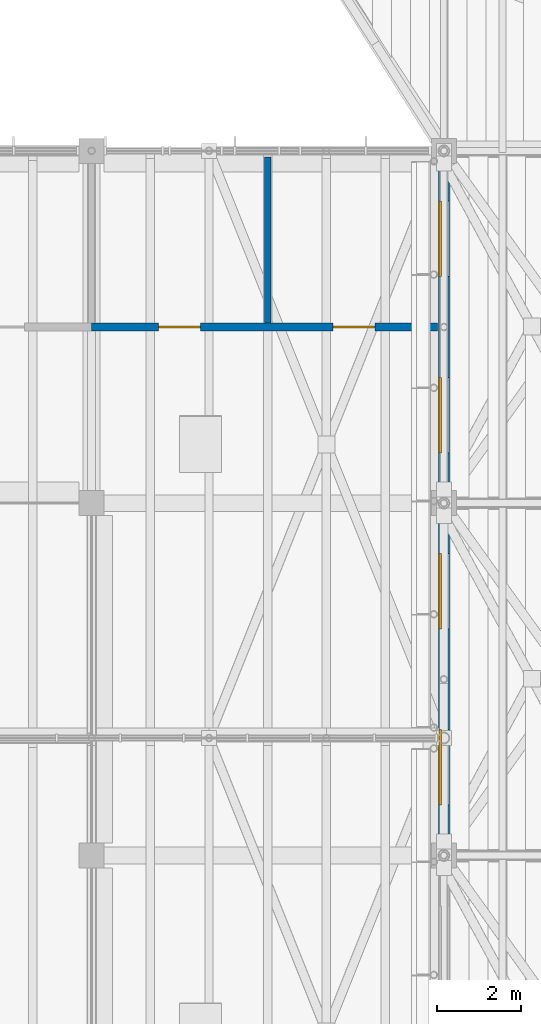
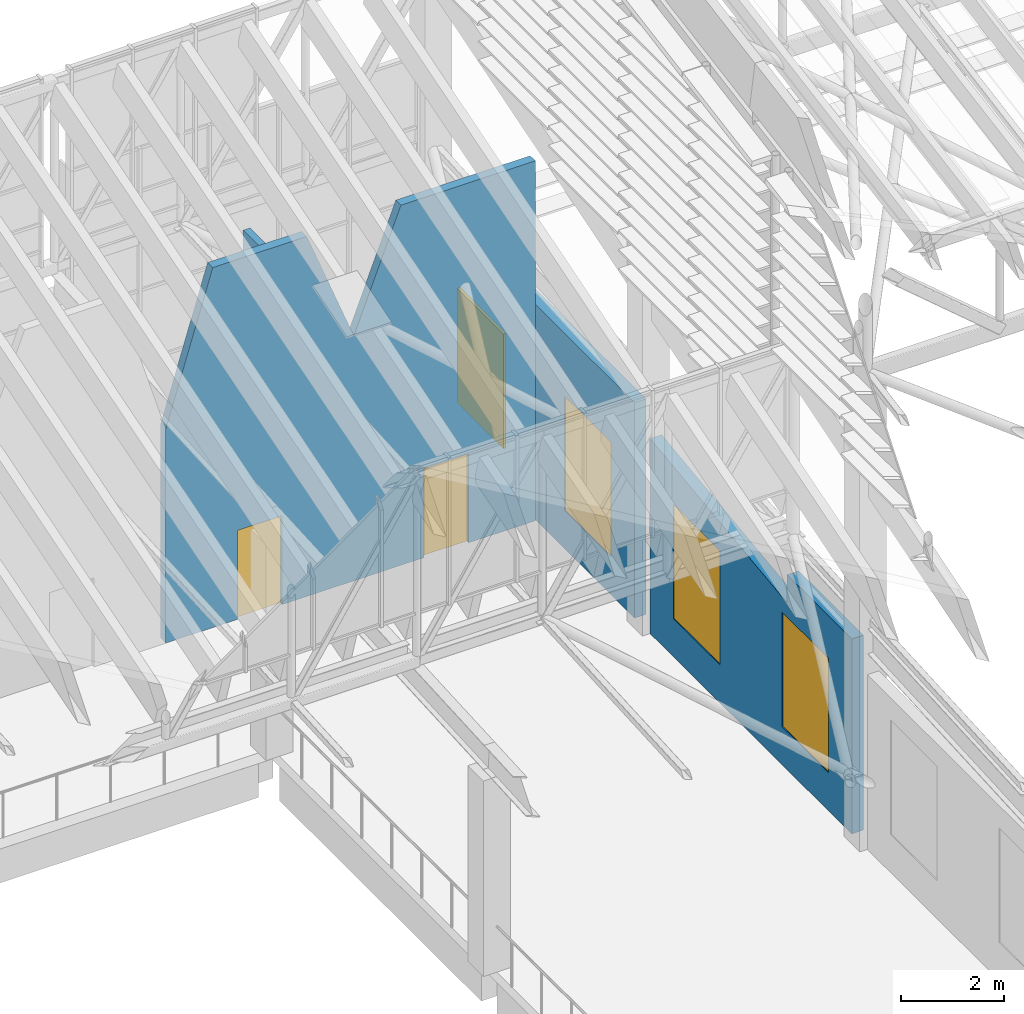
# One storey, part 65 of 91: 4 walls, 4 windows, 2 doors, 6 openings.
"""IFC4 building model written with IfcOpenShell, lengths in metres."""

from ifc_helpers import new_model, si_unit, direction, frame, frame_2d, origin, place, context, subcontext, project, spatial, polyline, rectangle, outline, extrude, material, layer, layer_set, type_object, element, fill, save


model = new_model("IFC4")

# Units and contexts
model_context = context("Model", 3, precision=1e-05, world=origin(), true_north=direction((0.0, 1.0)))
body_context = subcontext(model_context, "Body", "Model", "MODEL_VIEW")
ifc_project = project(units=[si_unit("LENGTHUNIT", "METRE"), si_unit("AREAUNIT", "SQUARE_METRE"), si_unit("VOLUMEUNIT", "CUBIC_METRE"), si_unit("PLANEANGLEUNIT", "RADIAN"), si_unit("MASSUNIT", "GRAM", prefix="KILO")], contexts=[model_context])

# Site, building, storey
site_placement = place(None, origin())
site = spatial("IfcSite", under=ifc_project, at=site_placement, CompositionType="ELEMENT")
building_placement = place(site_placement, origin())
building = spatial("IfcBuilding", under=site, at=building_placement, Name="Almond Square Museum", CompositionType="ELEMENT")
storey_placement = place(building_placement, frame((0.0, 0.0, 30.0)))
storey = spatial("IfcBuildingStorey", under=building, at=storey_placement, Name="L05", CompositionType="ELEMENT", Elevation=30.0)

# Wall, openings, windows
ifc_material_1 = material(Name="Concrete C30/37", Category="concrete")
ifc_layer_1 = layer(ifc_material_1, 0.260009765625)
ifc_layer_set_1 = layer_set([ifc_layer_1], Name="Concrete C30/37")
wall_type_1 = type_object("IfcWallType", Name="Atrium gable wall 260 with timber fins", PredefinedType="SOLIDWALL", material=ifc_layer_set_1)
wall_1_placement = place(storey_placement, frame((106.800048828125, 92.699951171875, 0.0), z_axis=(0.0, 0.0, 1.0), x_axis=(0.0, 1.0, 0.0)))
wall_1 = element("IfcWall", 1, at=wall_1_placement, inside=storey, type_object=wall_type_1, Name="External wall W7 V2 L05 E03", PredefinedType="SOLIDWALL", context=body_context, shape_type="SweptSolid", body=[
    extrude(outline(polyline([(0.0, 0.0), (7.800048828125, 0.0), (7.800048828125, 4.603271484375), (2.5009765625, 3.9375), (2.4990234375, 4.603271484375), (0.0, 4.603271484375), (0.0, 0.0)])), frame((0.0, 0.1298828125, 0.0), z_axis=(0.0, -1.0, 0.0), x_axis=(1.0, 0.0, 0.0)), (0.0, 0.0, 1.0), 0.260009765625),
])
opening_1_placement = place(wall_1_placement, frame((0.89990234375, 0.0, 0.89990234375)))
opening_1 = element("IfcOpeningElement", 2, at=opening_1_placement, cuts=wall_1, Name="Opening W5003", PredefinedType="OPENING", context=body_context, shape_type="SweptSolid", body=[
    extrude(rectangle(XDim=1.800048828125, YDim=2.699951171875, at=frame_2d((0.89990234375, 1.35009765625))), frame((0.0, 0.139892578125, 0.0), z_axis=(0.0, -1.0, 0.0), x_axis=(1.0, 0.0, 0.0)), (0.0, 0.0, 1.0), 0.280029296875),
])
opening_2_placement = place(wall_1_placement, frame((5.10009765625, 0.0, 0.89990234375)))
opening_2 = element("IfcOpeningElement", 3, at=opening_2_placement, cuts=wall_1, Name="Opening W5004", PredefinedType="OPENING", context=body_context, shape_type="SweptSolid", body=[
    extrude(rectangle(XDim=1.800048828125, YDim=2.699951171875, at=frame_2d((0.89990234375, 1.35009765625))), frame((0.0, 0.139892578125, 0.0), z_axis=(0.0, -1.0, 0.0), x_axis=(1.0, 0.0, 0.0)), (0.0, 0.0, 1.0), 0.280029296875),
])
ifc_material_2 = material(Name="Aluminium frame and laminated glass", Category="aluminium")
window_type = type_object("IfcWindowType", Name="Fixed gallery window", PartitioningType="SINGLE_PANEL", PredefinedType="WINDOW", material=ifc_material_2)
window_1_placement = place(opening_1_placement, origin())
window_1 = element("IfcWindow", 4, at=window_1_placement, inside=storey, type_object=window_type, Name="Fixed gallery window W5003", OverallHeight=2.699951171875, OverallWidth=1.800048828125, PartitioningType="SINGLE_PANEL", PredefinedType="WINDOW", context=body_context, shape_type="SweptSolid", body=[
    extrude(rectangle(XDim=1.800048828125, YDim=2.699951171875, at=frame_2d((0.89990234375, 1.35009765625))), frame((0.0, 0.110107421875, 0.0), z_axis=(0.0, -1.0, 0.0), x_axis=(1.0, 0.0, 0.0)), (0.0, 0.0, 1.0), 0.06005859375),
])
fill(opening_1, window_1)
window_2_placement = place(opening_2_placement, origin())
window_2 = element("IfcWindow", 5, at=window_2_placement, inside=storey, type_object=window_type, Name="Fixed gallery window W5004", OverallHeight=2.699951171875, OverallWidth=1.800048828125, PartitioningType="SINGLE_PANEL", PredefinedType="WINDOW", context=body_context, shape_type="SweptSolid", body=[
    extrude(rectangle(XDim=1.800048828125, YDim=2.699951171875, at=frame_2d((0.89990234375, 1.35009765625))), frame((0.0, 0.110107421875, 0.0), z_axis=(0.0, -1.0, 0.0), x_axis=(1.0, 0.0, 0.0)), (0.0, 0.0, 1.0), 0.06005859375),
])
fill(opening_2, window_2)

wall_2_placement = place(storey_placement, frame((106.800048828125, 101.10009765625, 0.0), z_axis=(0.0, 0.0, 1.0), x_axis=(0.0, 1.0, 0.0)))
wall_2 = element("IfcWall", 6, at=wall_2_placement, inside=storey, type_object=wall_type_1, Name="External wall W7 V2 L05 E04", PredefinedType="SOLIDWALL", context=body_context, shape_type="SweptSolid", body=[
    extrude(outline(polyline([(0.0, 0.0), (7.7998046875, 0.0), (7.800048828125, 5.083251953125), (0.0, 5.083251953125), (0.0, 0.0)])), frame((0.0, 0.1298828125, 0.0), z_axis=(0.0, -1.0, 0.0), x_axis=(1.0, 0.0, 0.0)), (0.0, 0.0, 1.0), 0.260009765625),
])
opening_3_placement = place(wall_2_placement, frame((0.89990234375, 0.0, 0.89990234375)))
opening_3 = element("IfcOpeningElement", 7, at=opening_3_placement, cuts=wall_2, Name="Opening W5005", PredefinedType="OPENING", context=body_context, shape_type="SweptSolid", body=[
    extrude(rectangle(XDim=1.800048828125, YDim=2.699951171875, at=frame_2d((0.89990234375, 1.35009765625))), frame((0.0, 0.139892578125, 0.0), z_axis=(0.0, -1.0, 0.0), x_axis=(1.0, 0.0, 0.0)), (0.0, 0.0, 1.0), 0.280029296875),
])
opening_4_placement = place(wall_2_placement, frame((5.10009765625, 0.0, 0.89990234375)))
opening_4 = element("IfcOpeningElement", 8, at=opening_4_placement, cuts=wall_2, Name="Opening W5006", PredefinedType="OPENING", context=body_context, shape_type="SweptSolid", body=[
    extrude(rectangle(XDim=1.800048828125, YDim=2.699951171875, at=frame_2d((0.89990234375, 1.35009765625))), frame((0.0, 0.139892578125, 0.0), z_axis=(0.0, -1.0, 0.0), x_axis=(1.0, 0.0, 0.0)), (0.0, 0.0, 1.0), 0.280029296875),
])
window_3_placement = place(opening_3_placement, origin())
window_3 = element("IfcWindow", 9, at=window_3_placement, inside=storey, type_object=window_type, Name="Fixed gallery window W5005", OverallHeight=2.699951171875, OverallWidth=1.800048828125, PartitioningType="SINGLE_PANEL", PredefinedType="WINDOW", context=body_context, shape_type="SweptSolid", body=[
    extrude(rectangle(XDim=1.800048828125, YDim=2.699951171875, at=frame_2d((0.89990234375, 1.35009765625))), frame((0.0, 0.110107421875, 0.0), z_axis=(0.0, -1.0, 0.0), x_axis=(1.0, 0.0, 0.0)), (0.0, 0.0, 1.0), 0.06005859375),
])
fill(opening_3, window_3)
window_4_placement = place(opening_4_placement, origin())
window_4 = element("IfcWindow", 10, at=window_4_placement, inside=storey, type_object=window_type, Name="Fixed gallery window W5006", OverallHeight=2.699951171875, OverallWidth=1.800048828125, PartitioningType="SINGLE_PANEL", PredefinedType="WINDOW", context=body_context, shape_type="SweptSolid", body=[
    extrude(rectangle(XDim=1.800048828125, YDim=2.699951171875, at=frame_2d((0.89990234375, 1.35009765625))), frame((0.0, 0.110107421875, 0.0), z_axis=(0.0, -1.0, 0.0), x_axis=(1.0, 0.0, 0.0)), (0.0, 0.0, 1.0), 0.06005859375),
])
fill(opening_4, window_4)

# Wall, openings, doors
ifc_material_3 = material(Name="Concrete blockwork 200", Category="masonry")
ifc_layer_2 = layer(ifc_material_3, 0.199951171875)
ifc_layer_set_2 = layer_set([ifc_layer_2], Name="Concrete blockwork 200")
wall_type_2 = type_object("IfcWallType", Name="Fire partition 200 blockwork", PredefinedType="PARTITIONING", material=ifc_layer_set_2)
wall_3_placement = place(storey_placement, frame((98.39990234375, 105.0, 0.0), z_axis=(0.0, 0.0, 1.0), x_axis=(1.0, 0.0, 0.0)))
wall_3 = element("IfcWall", 11, at=wall_3_placement, inside=storey, type_object=wall_type_2, Name="L05 partition 3", PredefinedType="PARTITIONING", context=body_context, shape_type="SweptSolid", body=[
    extrude(outline(polyline([(0.0, 0.0), (8.25, 0.0), (8.25, 8.49609375), (5.25, 8.49609375), (4.199951171875, 5.7880859375), (3.14990234375, 8.49609375), (1.050048828125, 8.49609375), (0.0, 5.052978515625), (0.0, 0.0)])), frame((0.0, 0.10009765625, 0.0), z_axis=(0.0, -1.0, 0.0), x_axis=(1.0, 0.0, 0.0)), (0.0, 0.0, 1.0), 0.199951171875),
])
opening_5_placement = place(wall_3_placement, frame((1.60009765625, 0.0, 0.0)))
opening_5 = element("IfcOpeningElement", 12, at=opening_5_placement, cuts=wall_3, Name="Opening D5103", PredefinedType="OPENING", context=body_context, shape_type="SweptSolid", body=[
    extrude(rectangle(XDim=1.0, YDim=2.10009765625, at=frame_2d((0.5, 1.050048828125))), frame((0.0, 0.10986328125, 0.0), z_axis=(0.0, -1.0, 0.0), x_axis=(1.0, 0.0, 0.0)), (0.0, 0.0, 1.0), 0.219970703125),
])
opening_6_placement = place(wall_3_placement, frame((5.762451171875, 0.0, 0.0)))
opening_6 = element("IfcOpeningElement", 13, at=opening_6_placement, cuts=wall_3, Name="Opening D5104", PredefinedType="OPENING", context=body_context, shape_type="SweptSolid", body=[
    extrude(rectangle(XDim=1.0, YDim=2.10009765625, at=frame_2d((0.5, 1.050048828125))), frame((0.0, 0.10986328125, 0.0), z_axis=(0.0, -1.0, 0.0), x_axis=(1.0, 0.0, 0.0)), (0.0, 0.0, 1.0), 0.219970703125),
])
ifc_material_4 = material(Name="Steel", Category="steel")
door_type = type_object("IfcDoorType", Name="Fire door 1000 x 2100 FD60 single", OperationType="NOTDEFINED", PredefinedType="DOOR", material=ifc_material_4)
door_1_placement = place(opening_5_placement, origin())
door_1 = element("IfcDoor", 14, at=door_1_placement, inside=storey, type_object=door_type, Name="L05 door Men's WC to Atrium Rim Lobby 1", OperationType="SINGLE_SWING_RIGHT", OverallHeight=2.10009765625, OverallWidth=1.0, PredefinedType="DOOR", context=body_context, shape_type="SweptSolid", body=[
    extrude(rectangle(XDim=1.0, YDim=2.10009765625, at=frame_2d((0.5, 1.050048828125))), frame((0.0, 0.02490234375, 0.0), z_axis=(0.0, -1.0, 0.0), x_axis=(1.0, 0.0, 0.0)), (0.0, 0.0, 1.0), 0.050048828125),
])
fill(opening_5, door_1)
door_2_placement = place(opening_6_placement, origin())
door_2 = element("IfcDoor", 15, at=door_2_placement, inside=storey, type_object=door_type, Name="L05 door Accessible WC to Atrium Rim Lobby 1", OperationType="SINGLE_SWING_LEFT", OverallHeight=2.10009765625, OverallWidth=1.0, PredefinedType="DOOR", context=body_context, shape_type="SweptSolid", body=[
    extrude(rectangle(XDim=1.0, YDim=2.10009765625, at=frame_2d((0.5, 1.050048828125))), frame((0.0, 0.02490234375, 0.0), z_axis=(0.0, -1.0, 0.0), x_axis=(1.0, 0.0, 0.0)), (0.0, 0.0, 1.0), 0.050048828125),
])
fill(opening_6, door_2)

# Wall
ifc_material_5 = material(Name="Plasterboard on steel stud", Category="steel")
ifc_layer_3 = layer(ifc_material_5, 0.14990234375)
ifc_layer_set_3 = layer_set([ifc_layer_3], Name="Plasterboard on steel stud")
wall_type_3 = type_object("IfcWallType", Name="Partition 150 plasterboard on steel stud", PredefinedType="PARTITIONING", material=ifc_layer_set_3)
wall_4_placement = place(storey_placement, frame((102.60009765625, 105.10009765625, 0.0), z_axis=(0.0, 0.0, 1.0), x_axis=(0.0, 1.0, 0.0)))
element("IfcWall", 16, at=wall_4_placement, inside=storey, type_object=wall_type_3, Name="L05 partition 7", PredefinedType="PARTITIONING", context=body_context, shape_type="SweptSolid", body=[
    extrude(rectangle(XDim=3.949951171875, YDim=0.14990234375, at=frame_2d((1.97509765625, 0.0))), origin(), (0.0, 0.0, 1.0), 5.7880859375),
])

save(model, "model.ifc")
